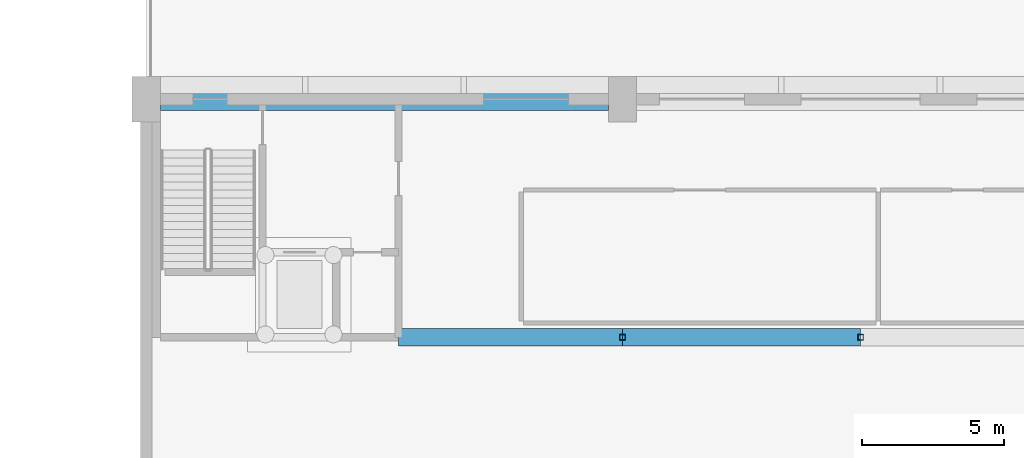
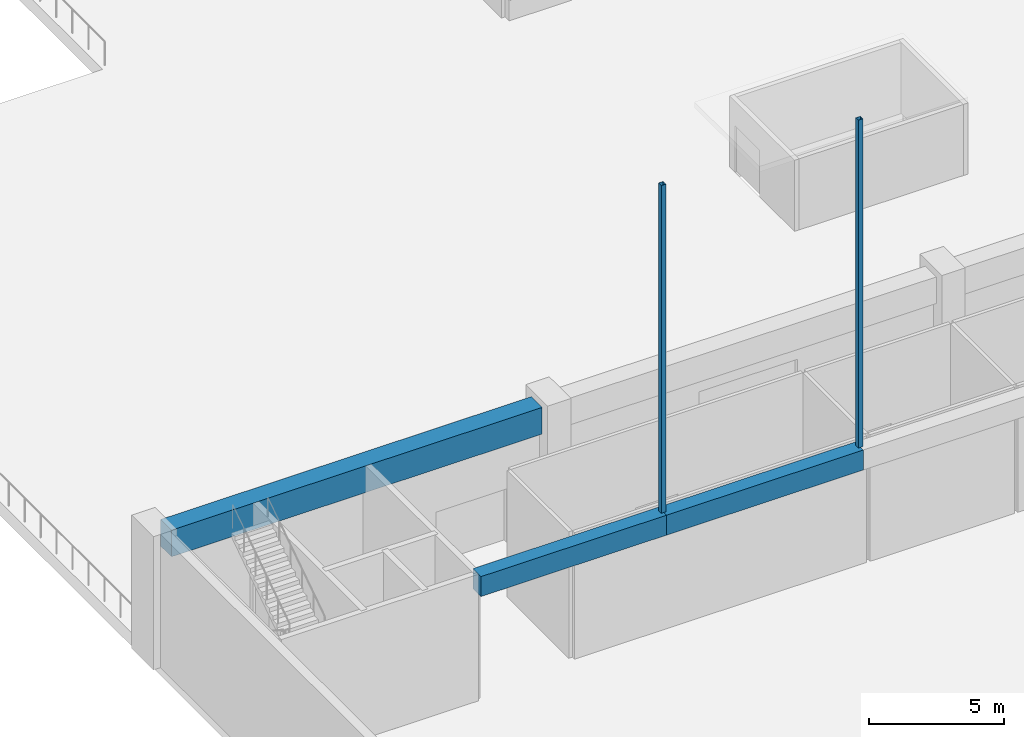
# One storey, part 59 of 210: 3 beams, 2 members.
"""IFC4 building model written with IfcOpenShell, lengths in metres."""

import ifcopenshell
import ifcopenshell.guid

model = None  # the IFC model being written
_history = None  # IfcOwnerHistory: only IFC2X3 demands one
_inside = {}  # id of a spatial element -> (the spatial element, [elements in it])
_under = {}  # id of a project, library or spatial element -> (it, [spatial elements below it])
_declared = {}  # id of a project -> (the project, [libraries it declares])
_typed = {}  # id of a type object -> (the type object, [elements of that type])
_made_of = {}  # id of a material, layer set ... -> (it, [elements and type objects made of it])


def new_model(schema):
    """Start an empty IFC model of exactly this schema.

    Asked for "IFC4X3", IfcOpenShell would pick the latest addendum, in which some entities
    have other attributes; the version numbers below select the first issue.
    IFC2X3 requires an IfcOwnerHistory on every rooted entity: one is made here for all.
    """
    global model, _history
    if schema == "IFC4X3":
        model = ifcopenshell.file(schema_version=(4, 3, 0, 0))
    else:
        model = ifcopenshell.file(schema=schema)
    _inside.clear()
    _under.clear()
    _declared.clear()
    _typed.clear()
    _made_of.clear()
    _history = None
    if model.schema == "IFC2X3":
        org = make("IfcOrganization", Name="unknown")
        user = make(
            "IfcPersonAndOrganization",
            ThePerson=make("IfcPerson", FamilyName="unknown"),
            TheOrganization=org,
        )
        app = make(
            "IfcApplication",
            ApplicationDeveloper=org,
            Version="unknown",
            ApplicationFullName="unknown",
            ApplicationIdentifier="unknown",
        )
        _history = make(
            "IfcOwnerHistory",
            OwningUser=user,
            OwningApplication=app,
            ChangeAction="ADDED",
            CreationDate=0,
        )
    return model


def make(cls, **values):
    """One entity of the class cls with the attributes given. An attribute that is None is left unset."""
    return model.create_entity(
        cls, **{name: value for name, value in values.items() if value is not None}
    )


def rooted(cls, **values):
    """An entity with a GlobalId (a new one), such as an element, a storey or a relation."""
    return make(cls, GlobalId=ifcopenshell.guid.new(), OwnerHistory=_history, **values)


def si_unit(unit_type, name, prefix=None):
    """IfcSIUnit, for example si_unit("LENGTHUNIT", "METRE", prefix="MILLI")."""
    return make("IfcSIUnit", UnitType=unit_type, Prefix=prefix, Name=name)


def assignment(units):
    """IfcUnitAssignment: the units of a project."""
    return None if units is None else make("IfcUnitAssignment", Units=units)


def point(xyz):
    """IfcCartesianPoint."""
    return None if xyz is None else make("IfcCartesianPoint", Coordinates=xyz)


def direction(xyz):
    """IfcDirection."""
    return None if xyz is None else make("IfcDirection", DirectionRatios=xyz)


def frame(location, z_axis=None, x_axis=None):
    """IfcAxis2Placement3D, a coordinate frame: its origin and axes. An axis left out is left unset."""
    return make(
        "IfcAxis2Placement3D",
        Location=point(location),
        Axis=direction(z_axis),
        RefDirection=direction(x_axis),
    )


def frame_2d(location, x_axis=None):
    """IfcAxis2Placement2D, a coordinate frame in the plane: its origin and x axis."""
    return make(
        "IfcAxis2Placement2D", Location=point(location), RefDirection=direction(x_axis)
    )


def origin():
    """The frame at (0, 0, 0) with its axes left unset."""
    return frame((0.0, 0.0, 0.0))


def origin_2d():
    """The frame at (0, 0) in the plane with its x axis left unset."""
    return frame_2d((0.0, 0.0))


def place(relative_to, where):
    """IfcLocalPlacement: puts the frame where relative to a parent placement (None: the world)."""
    return make(
        "IfcLocalPlacement", PlacementRelTo=relative_to, RelativePlacement=where
    )


def context(
    kind, dimensions, precision=None, world=None, true_north=None, identifier=None
):
    """IfcGeometricRepresentationContext, for example the 3D "Model" context."""
    return make(
        "IfcGeometricRepresentationContext",
        ContextIdentifier=identifier,
        ContextType=kind,
        CoordinateSpaceDimension=dimensions,
        Precision=precision,
        WorldCoordinateSystem=world,
        TrueNorth=true_north,
    )


def subcontext(parent, identifier, kind, view, scale=None):
    """IfcGeometricRepresentationSubContext, for example "Body" below "Model"."""
    return make(
        "IfcGeometricRepresentationSubContext",
        ContextIdentifier=identifier,
        ContextType=kind,
        ParentContext=parent,
        TargetScale=scale,
        TargetView=view,
    )


def project(units=None, contexts=None):
    """IfcProject with its units and contexts."""
    return rooted(
        "IfcProject",
        Name="project",
        RepresentationContexts=contexts,
        UnitsInContext=assignment(units),
    )


def spatial(cls, under=None, at=None, **own):
    """A site, building, storey or space (cls), placed at a placement, below another one or the project."""
    s = rooted(cls, ObjectPlacement=at, **own)
    if under is not None:
        _under.setdefault(under.id(), (under, []))[1].append(s)
    return s


def profile(cls, at=None, kind="AREA", **sizes):
    """A parametric profile (cls). Its sizes go by their IFC names, for example OverallWidth=200.0."""
    return make(cls, ProfileType=kind, Position=at, **sizes)


def rectangle(**sizes):
    """IfcRectangleProfileDef."""
    return profile("IfcRectangleProfileDef", **sizes)


def hollow_rectangle(**sizes):
    """IfcRectangleHollowProfileDef."""
    return profile("IfcRectangleHollowProfileDef", **sizes)


def extrude(swept, where, along, depth):
    """IfcExtrudedAreaSolid: the profile swept, set in the frame where, extruded along a direction by depth."""
    return make(
        "IfcExtrudedAreaSolid",
        SweptArea=swept,
        Position=where,
        ExtrudedDirection=direction(along),
        Depth=depth,
    )


def shape(context_of_items, identifier, shape_type, items):
    """IfcShapeRepresentation: the items that make up one representation, for example the "Body"."""
    return make(
        "IfcShapeRepresentation",
        ContextOfItems=context_of_items,
        RepresentationIdentifier=identifier,
        RepresentationType=shape_type,
        Items=items,
    )


def material(Name=None, Category=None):
    """IfcMaterial."""
    return make("IfcMaterial", Name=Name, Category=Category)


def material_profile(
    of_material, cross_section, Name=None, Category=None, Priority=None
):
    """IfcMaterialProfile: a cross section and its material."""
    return make(
        "IfcMaterialProfile",
        Name=Name,
        Material=of_material,
        Profile=cross_section,
        Priority=Priority,
        Category=Category,
    )


def profile_set(profiles, Name=None, composite=None):
    """IfcMaterialProfileSet."""
    return make(
        "IfcMaterialProfileSet",
        Name=Name,
        MaterialProfiles=profiles,
        CompositeProfile=composite,
    )


def made_of(thing, what):
    """Note that an element or type object is made of a material, layer set ...; save() writes the relation."""
    if what is not None:
        _made_of.setdefault(what.id(), (what, []))[1].append(thing)
    return thing


def type_object(cls, material=None, **own):
    """A type object (cls), such as IfcWallType, which elements share."""
    return made_of(rooted(cls, **own), material)


def element(
    cls,
    number,
    at=None,
    inside=None,
    cuts=None,
    type_object=None,
    material=None,
    context=None,
    identifier="Body",
    shape_type=None,
    held_by="IfcProductDefinitionShape",
    body=None,
    shapes=None,
    **own,
):
    """One element of the class cls, such as IfcWall. Its Tag is "e" and its number.

    at: its placement. inside: the storey or other place that contains it. cuts: it is an
    opening in that element (IfcRelVoidsElement). A single representation is given by context,
    identifier, shape_type and body (its items); several are given by shapes. held_by: the class
    of the entity that holds the representations. save() writes the other relations.
    """
    e = rooted(cls, Tag="e%d" % number, ObjectPlacement=at, **own)
    if body is not None:
        shapes = [shape(context, identifier, shape_type, body)]
    if shapes is not None:
        e.Representation = make(held_by, Representations=shapes)
    if inside is not None:
        _inside.setdefault(inside.id(), (inside, []))[1].append(e)
    if cuts is not None:
        rooted(
            "IfcRelVoidsElement", RelatingBuildingElement=cuts, RelatedOpeningElement=e
        )
    if type_object is not None:
        _typed.setdefault(type_object.id(), (type_object, []))[1].append(e)
    return made_of(e, material)


def aggregate(whole, parts):
    """IfcRelAggregates: a whole, such as a stair, and the parts it consists of."""
    return rooted("IfcRelAggregates", RelatingObject=whole, RelatedObjects=parts)


def save(model, path):
    """Write the relations noted so far, then the file.

    IfcRelAggregates (storeys below a building ...), IfcRelContainedInSpatialStructure (elements
    in a storey), IfcRelDefinesByType, IfcRelAssociatesMaterial and IfcRelDeclares: one each for
    every whole, place, type object, material and project.
    """
    for whole, parts in _under.values():
        aggregate(whole, parts)
    for where, things in _inside.values():
        rooted(
            "IfcRelContainedInSpatialStructure",
            RelatedElements=things,
            RelatingStructure=where,
        )
    for kind, things in _typed.values():
        rooted("IfcRelDefinesByType", RelatedObjects=things, RelatingType=kind)
    for what, things in _made_of.values():
        rooted("IfcRelAssociatesMaterial", RelatedObjects=things, RelatingMaterial=what)
    for by, libraries in _declared.values():
        rooted("IfcRelDeclares", RelatingContext=by, RelatedDefinitions=libraries)
    model.write(path)


model = new_model("IFC4")

# Units and contexts
model_context = context("Model", 3, precision=1e-05, world=origin(), true_north=direction((0.0, 1.0)))
body_context = subcontext(model_context, "Body", "Model", "MODEL_VIEW")
ifc_project = project(units=[si_unit("LENGTHUNIT", "METRE"), si_unit("AREAUNIT", "SQUARE_METRE"), si_unit("VOLUMEUNIT", "CUBIC_METRE"), si_unit("PLANEANGLEUNIT", "RADIAN"), si_unit("MASSUNIT", "GRAM", prefix="KILO")], contexts=[model_context])

# Site, building, storey
site_placement = place(None, origin())
site = spatial("IfcSite", under=ifc_project, at=site_placement, CompositionType="ELEMENT")
building_placement = place(site_placement, origin())
building = spatial("IfcBuilding", under=site, at=building_placement, Name="Rain Tree Exposition and Congress Centre", CompositionType="ELEMENT")
storey_placement = place(building_placement, origin())
storey = spatial("IfcBuildingStorey", under=building, at=storey_placement, Name="L00", CompositionType="ELEMENT", Elevation=0.0)

# Beams
ifc_material_1 = material(Name="Precast concrete C50/60", Category="concrete")
ifc_material_profile_1 = material_profile(ifc_material_1, rectangle(XDim=0.60009765625, YDim=0.89990234375, at=origin_2d()), Name="RC 600x900")
ifc_profile_set_1 = profile_set([ifc_material_profile_1], Name="Precast concrete C50/60")
beam_type_1 = type_object("IfcBeamType", Name="Precast beam 600x900", PredefinedType="BEAM", material=ifc_profile_set_1)
beam_1_placement = place(storey_placement, frame((17.300048828125, 193.199951171875, 5.25), z_axis=(1.0, 0.0, 0.0), x_axis=(0.0, 1.0, 0.0)))
element("IfcBeam", 1, at=beam_1_placement, inside=storey, type_object=beam_type_1, Name="Gallery edge beam 24", PredefinedType="BEAM", context=body_context, shape_type="SweptSolid", body=[
    extrude(rectangle(XDim=0.60009765625, YDim=0.89990234375, at=origin_2d()), origin(), (0.0, 0.0, 1.0), 7.89990234375),
])
beam_2_placement = place(storey_placement, frame((25.199951171875, 193.199951171875, 5.25), z_axis=(1.0, 0.0, 0.0), x_axis=(0.0, 1.0, 0.0)))
element("IfcBeam", 2, at=beam_2_placement, inside=storey, type_object=beam_type_1, Name="Gallery edge beam 25", PredefinedType="BEAM", context=body_context, shape_type="SweptSolid", body=[
    extrude(rectangle(XDim=0.60009765625, YDim=0.89990234375, at=origin_2d()), origin(), (0.0, 0.0, 1.0), 8.400146484375),
])
ifc_material_2 = material(Name="Precast concrete C50/60", Category="concrete")
ifc_material_profile_2 = material_profile(ifc_material_2, rectangle(XDim=0.800048828125, YDim=1.199951171875, at=origin_2d()), Name="RC 800x1200")
ifc_profile_set_2 = profile_set([ifc_material_profile_2], Name="Precast concrete C50/60")
beam_type_2 = type_object("IfcBeamType", Name="Precast beam 800x1200", PredefinedType="BEAM", material=ifc_profile_set_2)
beam_3_placement = place(storey_placement, frame((8.89990234375, 201.60009765625, 5.10009765625), z_axis=(1.0, 0.0, 0.0), x_axis=(0.0, 1.0, 0.0)))
element("IfcBeam", 3, at=beam_3_placement, inside=storey, type_object=beam_type_2, Name="Gallery perimeter beam 8", PredefinedType="BEAM", context=body_context, shape_type="SweptSolid", body=[
    extrude(rectangle(XDim=0.800048828125, YDim=1.199951171875, at=origin_2d()), origin(), (0.0, 0.0, 1.0), 15.800048828125),
])

# Members
ifc_material_3 = material(Name="Steel S355J2H", Category="steel")
ifc_material_profile_3 = material_profile(ifc_material_3, hollow_rectangle(XDim=0.199951171875, YDim=0.199951171875, WallThickness=0.009033203125, at=origin_2d()), Name="RHS 200x200x9")
ifc_profile_set_3 = profile_set([ifc_material_profile_3], Name="Steel S355J2H")
member_type = type_object("IfcMemberType", Name="Steel member member RHS 200x200x9", PredefinedType="MEMBER", material=ifc_profile_set_3)
for number, where, z_axis, x_axis, name in (
    (4, (25.199951171875, 193.199951171875, 5.699951171875), (0.0, 0.0, 1.0), (1.0, 0.0, 0.0), "Gallery hanger 36"),
    (5, (33.60009765625, 193.199951171875, 5.699951171875), (0.0, 0.0, 1.0), (1.0, 0.0, 0.0), "Gallery hanger 37"),
):
    element("IfcMember", number, at=place(storey_placement, frame(where, z_axis=z_axis, x_axis=x_axis)), inside=storey, type_object=member_type, Name=name, PredefinedType="MEMBER", context=body_context, shape_type="SweptSolid", body=[
        extrude(hollow_rectangle(XDim=0.199951171875, YDim=0.199951171875, WallThickness=0.009033203125, at=origin_2d()), origin(), (0.0, 0.0, 1.0), 14.766845703125),
    ])

save(model, "model.ifc")
